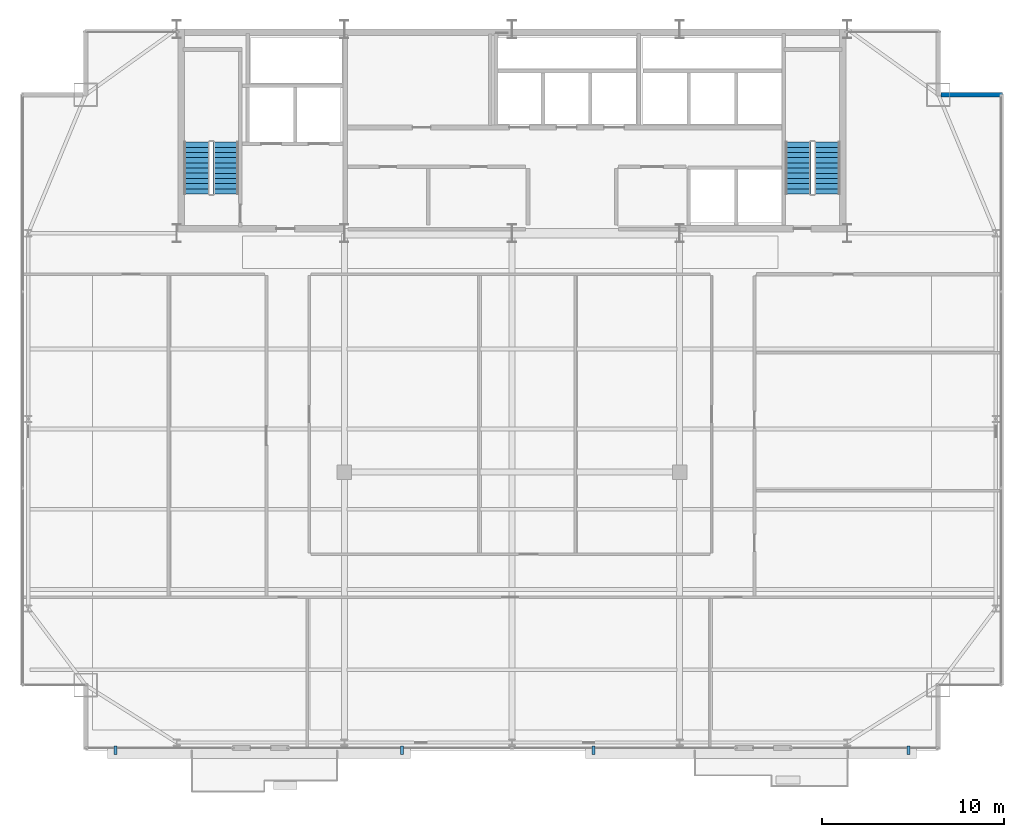
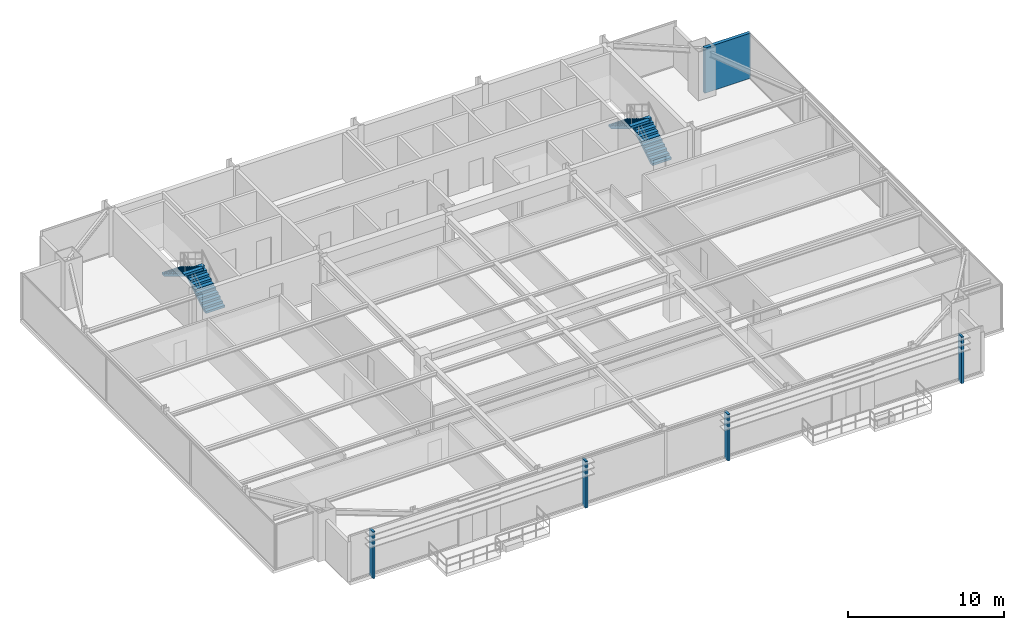
# One storey, part 29 of 31: 4 discrete accessories, 4 stair flights, 1 wall, 2 elements without a shape of their own.
"""IFC4 building model written with IfcOpenShell, lengths in metres."""

from ifc_helpers import new_model, si_unit, direction, frame, frame_2d, origin, origin_2d, place, context, subcontext, project, spatial, polyline, rectangle, outline, extrude, source, transform, mapped, material, layer, layer_set, type_object, type_shapes, element, aggregate, save


model = new_model("IFC4")

# Units and contexts
model_context = context("Model", 3, precision=1e-05, world=origin(), true_north=direction((0.0, 1.0)))
body_context = subcontext(model_context, "Body", "Model", "MODEL_VIEW")
ifc_project = project(units=[si_unit("LENGTHUNIT", "METRE"), si_unit("AREAUNIT", "SQUARE_METRE"), si_unit("VOLUMEUNIT", "CUBIC_METRE"), si_unit("PLANEANGLEUNIT", "RADIAN"), si_unit("MASSUNIT", "GRAM", prefix="KILO")], contexts=[model_context])

# Site, building, storey
site_placement = place(None, origin())
site = spatial("IfcSite", under=ifc_project, at=site_placement, CompositionType="ELEMENT")
building_placement = place(site_placement, origin())
building = spatial("IfcBuilding", under=site, at=building_placement, Name="Varnel Quay Broadcast Tower", CompositionType="ELEMENT")
storey_placement = place(building_placement, frame((0.0, 0.0, 183.800048828125)))
storey = spatial("IfcBuildingStorey", under=building, at=storey_placement, Name="L45", CompositionType="ELEMENT", Elevation=183.800048828125)

# Wall
ifc_material_1 = material(Name="Precast Architectural Concrete C40/50", Category="concrete")
ifc_layer_1 = layer(ifc_material_1, 0.25, Name="Precast Architectural Concrete C40/50")
ifc_layer_set_1 = layer_set([ifc_layer_1], Name="Precast Architectural Concrete C40/50")
wall_type = type_object("IfcWallType", Name="Wall_ExtTerrace250", PredefinedType="SOLIDWALL", material=ifc_layer_set_1)
wall_placement = place(storey_placement, frame((57.530029296875, 43.199951171875, 0.0), z_axis=(0.0, 0.0, 1.0), x_axis=(1.0, 0.0, 0.0)))
element("IfcWall", 1, at=wall_placement, inside=storey, type_object=wall_type, Name="L45 Mega-Column Notch Cladding Wall NNE1", PredefinedType="SOLIDWALL", context=body_context, shape_type="SweptSolid", body=[
    extrude(rectangle(XDim=3.389892578125, YDim=0.25, at=frame_2d((1.69482421875, 0.0))), origin(), (0.0, 0.0, 1.0), 3.530029296875),
])

# Stair, stair flights
ifc_material_2 = material(Name="Precast Structural Concrete C40/50", Category="concrete")
stair_type_1 = type_object("IfcStairType", Name="Stair_ST-01", PredefinedType="HALF_TURN_STAIR", material=ifc_material_2)
stair_1_placement = place(storey_placement, origin())
stair_1 = element("IfcStair", 2, at=stair_1_placement, inside=storey, type_object=stair_type_1, Name="L45 West Core Exit Stair 1", PredefinedType="HALF_TURN_STAIR")
stair_flight_type_1 = type_object("IfcStairFlightType", Name="Flight_ST-01", PredefinedType="STRAIGHT", material=ifc_material_2)
stair_flight_1_placement = place(storey_placement, frame((18.300048828125, 37.75, 0.0), z_axis=(0.0, 0.0, 1.0), x_axis=(0.0, 1.0, 0.0)))
stair_flight_1 = element("IfcStairFlight", 3, at=stair_flight_1_placement, type_object=stair_flight_type_1, Name="ST-01 flight 1", NumberOfRisers=11, NumberOfTreads=10, PredefinedType="STRAIGHT", RiserHeight=0.172727273, TreadLength=0.285, context=body_context, shape_type="SweptSolid", body=[
    extrude(outline(polyline([(0.0, 0.0), (0.0, 0.172607421875), (0.284912109375, 0.172607421875), (0.284912109375, 0.345458984375), (0.570068359375, 0.345458984375), (0.570068359375, 0.51806640625), (0.85498046875, 0.51806640625), (0.85498046875, 0.69091796875), (1.139892578125, 0.69091796875), (1.139892578125, 0.863525390625), (1.425048828125, 0.863525390625), (1.425048828125, 1.036376953125), (1.7099609375, 1.036376953125), (1.7099609375, 1.208984375), (1.9951171875, 1.208984375), (1.9951171875, 1.3818359375), (2.280029296875, 1.3818359375), (2.280029296875, 1.554443359375), (2.56494140625, 1.554443359375), (2.56494140625, 1.727294921875), (2.85009765625, 1.727294921875), (2.85009765625, 1.89990234375), (2.85009765625, 1.552001953125), (0.289306640625, 0.0), (0.0, 0.0)])), frame((0.0, 0.699951171875, 0.0), z_axis=(0.0, -1.0, 0.0), x_axis=(1.0, 0.0, 0.0)), (0.0, 0.0, 1.0), 1.39990234375),
])
stair_flight_2_placement = place(storey_placement, frame((16.699951171875, 40.60009765625, 1.89990234375), z_axis=(0.0, 0.0, 1.0), x_axis=(0.0, -1.0, 0.0)))
stair_flight_2 = element("IfcStairFlight", 4, at=stair_flight_2_placement, type_object=stair_flight_type_1, Name="ST-01 flight 2", NumberOfRisers=11, NumberOfTreads=10, PredefinedType="STRAIGHT", RiserHeight=0.172727273, TreadLength=0.285, context=body_context, shape_type="SweptSolid", body=[
    extrude(outline(polyline([(0.0, 0.0), (0.0, 0.172607421875), (0.284912109375, 0.172607421875), (0.284912109375, 0.345458984375), (0.570068359375, 0.345458984375), (0.570068359375, 0.51806640625), (0.85498046875, 0.51806640625), (0.85498046875, 0.69091796875), (1.139892578125, 0.69091796875), (1.139892578125, 0.863525390625), (1.425048828125, 0.863525390625), (1.425048828125, 1.036376953125), (1.7099609375, 1.036376953125), (1.7099609375, 1.208984375), (1.9951171875, 1.208984375), (1.9951171875, 1.3818359375), (2.280029296875, 1.3818359375), (2.280029296875, 1.554443359375), (2.56494140625, 1.554443359375), (2.56494140625, 1.727294921875), (2.85009765625, 1.727294921875), (2.85009765625, 1.89990234375), (2.85009765625, 1.552001953125), (0.289306640625, 0.0), (0.0, 0.0)])), frame((0.0, 0.699951171875, 0.0), z_axis=(0.0, -1.0, 0.0), x_axis=(1.0, 0.0, 0.0)), (0.0, 0.0, 1.0), 1.39990234375),
])
aggregate(stair_1, [stair_flight_1, stair_flight_2])

stair_type_2 = type_object("IfcStairType", Name="Stair_ST-02", PredefinedType="HALF_TURN_STAIR", material=ifc_material_2)
stair_2_placement = place(storey_placement, origin())
stair_2 = element("IfcStair", 5, at=stair_2_placement, inside=storey, type_object=stair_type_2, Name="L45 East Core Exit Stair 2", PredefinedType="HALF_TURN_STAIR")
stair_flight_type_2 = type_object("IfcStairFlightType", Name="Flight_ST-02", PredefinedType="STRAIGHT", material=ifc_material_2)
stair_flight_3_placement = place(storey_placement, frame((51.300048828125, 37.75, 0.0), z_axis=(0.0, 0.0, 1.0), x_axis=(0.0, 1.0, 0.0)))
stair_flight_3 = element("IfcStairFlight", 6, at=stair_flight_3_placement, type_object=stair_flight_type_2, Name="ST-02 flight 1", NumberOfRisers=11, NumberOfTreads=10, PredefinedType="STRAIGHT", RiserHeight=0.172727273, TreadLength=0.285, context=body_context, shape_type="SweptSolid", body=[
    extrude(outline(polyline([(0.0, 0.0), (0.0, 0.172607421875), (0.284912109375, 0.172607421875), (0.284912109375, 0.345458984375), (0.570068359375, 0.345458984375), (0.570068359375, 0.51806640625), (0.85498046875, 0.51806640625), (0.85498046875, 0.69091796875), (1.139892578125, 0.69091796875), (1.139892578125, 0.863525390625), (1.425048828125, 0.863525390625), (1.425048828125, 1.036376953125), (1.7099609375, 1.036376953125), (1.7099609375, 1.208984375), (1.9951171875, 1.208984375), (1.9951171875, 1.3818359375), (2.280029296875, 1.3818359375), (2.280029296875, 1.554443359375), (2.56494140625, 1.554443359375), (2.56494140625, 1.727294921875), (2.85009765625, 1.727294921875), (2.85009765625, 1.89990234375), (2.85009765625, 1.552001953125), (0.289306640625, 0.0), (0.0, 0.0)])), frame((0.0, 0.699951171875, 0.0), z_axis=(0.0, -1.0, 0.0), x_axis=(1.0, 0.0, 0.0)), (0.0, 0.0, 1.0), 1.39990234375),
])
stair_flight_4_placement = place(storey_placement, frame((49.699951171875, 40.60009765625, 1.89990234375), z_axis=(0.0, 0.0, 1.0), x_axis=(0.0, -1.0, 0.0)))
stair_flight_4 = element("IfcStairFlight", 7, at=stair_flight_4_placement, type_object=stair_flight_type_2, Name="ST-02 flight 2", NumberOfRisers=11, NumberOfTreads=10, PredefinedType="STRAIGHT", RiserHeight=0.172727273, TreadLength=0.285, context=body_context, shape_type="SweptSolid", body=[
    extrude(outline(polyline([(0.0, 0.0), (0.0, 0.172607421875), (0.284912109375, 0.172607421875), (0.284912109375, 0.345458984375), (0.570068359375, 0.345458984375), (0.570068359375, 0.51806640625), (0.85498046875, 0.51806640625), (0.85498046875, 0.69091796875), (1.139892578125, 0.69091796875), (1.139892578125, 0.863525390625), (1.425048828125, 0.863525390625), (1.425048828125, 1.036376953125), (1.7099609375, 1.036376953125), (1.7099609375, 1.208984375), (1.9951171875, 1.208984375), (1.9951171875, 1.3818359375), (2.280029296875, 1.3818359375), (2.280029296875, 1.554443359375), (2.56494140625, 1.554443359375), (2.56494140625, 1.727294921875), (2.85009765625, 1.727294921875), (2.85009765625, 1.89990234375), (2.85009765625, 1.552001953125), (0.289306640625, 0.0), (0.0, 0.0)])), frame((0.0, 0.699951171875, 0.0), z_axis=(0.0, -1.0, 0.0), x_axis=(1.0, 0.0, 0.0)), (0.0, 0.0, 1.0), 1.39990234375),
])
aggregate(stair_2, [stair_flight_3, stair_flight_4])

# Discrete accessories
ifc_material_3 = material(Name="Anodised Bronze Aluminium 6063-T6", Category="aluminium")
ifc_layer_2 = layer(ifc_material_3, 0.47998046875, Name="Anodised Bronze Aluminium 6063-T6")
ifc_layer_set_2 = layer_set([ifc_layer_2], Name="Anodised Bronze Aluminium 6063-T6")
discrete_accessory_type = type_object("IfcDiscreteAccessoryType", Name="Acc_FacadeBracket", PredefinedType="BRACKET", material=ifc_layer_set_2)
shared_shape = source(origin(), body_context, "Body", "SweptSolid", [
    extrude(rectangle(XDim=0.159912109375, YDim=0.47998046875, at=origin_2d()), origin(), (0.0, 0.0, 1.0), 3.64990234375),
])
type_shapes(discrete_accessory_type, [shared_shape])
for number, where, z_axis, x_axis, name in (
    (8, (12.25, 7.219970703125, -0.14990234375), (0.0, 0.0, 1.0), (1.0, 0.0, 0.0), "L45 Lobe 1 Louvre Support Bracket 1"),
    (9, (27.970947265625, 7.219970703125, -0.14990234375), (0.0, 0.0, 1.0), (1.0, 0.0, 0.0), "L45 Lobe 1 Louvre Support Bracket 2"),
    (10, (38.470947265625, 7.219970703125, -0.14990234375), (0.0, 0.0, 1.0), (1.0, 0.0, 0.0), "L45 Lobe 2 Louvre Support Bracket 1"),
    (11, (55.75, 7.219970703125, -0.14990234375), (0.0, 0.0, 1.0), (1.0, 0.0, 0.0), "L45 Lobe 2 Louvre Support Bracket 2"),
):
    element("IfcDiscreteAccessory", number, at=place(storey_placement, frame(where, z_axis=z_axis, x_axis=x_axis)), inside=storey, type_object=discrete_accessory_type, Name=name, PredefinedType="BRACKET", context=body_context, shape_type="MappedRepresentation", body=[
        mapped(shared_shape, transform((0.0, 0.0, 0.0), x_axis=(1.0, 0.0, 0.0), y_axis=(0.0, 1.0, 0.0), z_axis=(0.0, 0.0, 1.0), scale=1.0)),
    ])

save(model, "model.ifc")
